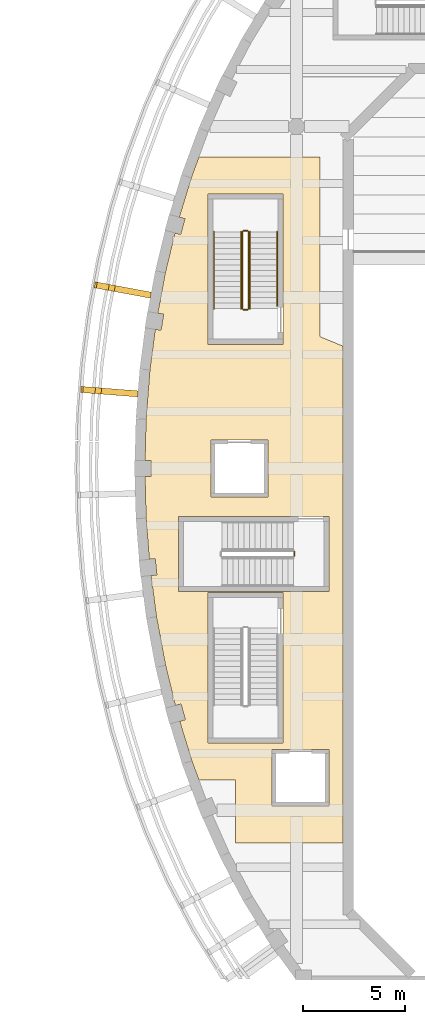
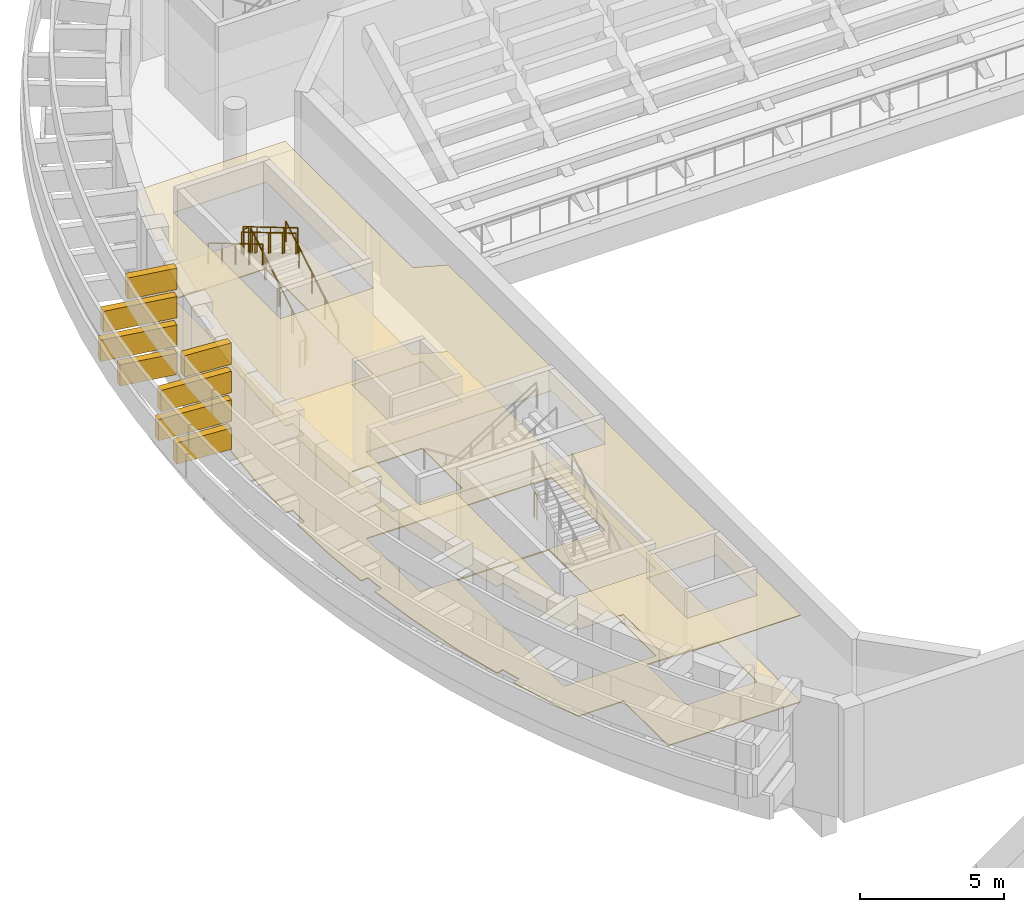
# One storey, part 29 of 37: 10 coverings, 9 railings.
"""IFC4 building model written with IfcOpenShell, lengths in metres."""

from ifc_helpers import new_model, si_unit, direction, frame, origin, origin_2d, place, context, subcontext, project, spatial, polyline, rectangle, circle, outline, extrude, material, layer, layer_set, type_object, element, save


model = new_model("IFC4")

# Units and contexts
model_context = context("Model", 3, precision=1e-05, world=origin(), true_north=direction((0.0, 1.0)))
body_context = subcontext(model_context, "Body", "Model", "MODEL_VIEW")
ifc_project = project(units=[si_unit("LENGTHUNIT", "METRE"), si_unit("AREAUNIT", "SQUARE_METRE"), si_unit("VOLUMEUNIT", "CUBIC_METRE"), si_unit("PLANEANGLEUNIT", "RADIAN"), si_unit("MASSUNIT", "GRAM", prefix="KILO")], contexts=[model_context])

# Site, building, storey
site_placement = place(None, origin())
site = spatial("IfcSite", under=ifc_project, at=site_placement, CompositionType="ELEMENT")
building_placement = place(site_placement, origin())
building = spatial("IfcBuilding", under=site, at=building_placement, Name="Larchfold Concert Hall", CompositionType="ELEMENT")
storey_placement = place(building_placement, frame((0.0, 0.0, 19.199951171875)))
storey = spatial("IfcBuildingStorey", under=building, at=storey_placement, Name="L04", CompositionType="ELEMENT", Elevation=19.199951171875)

# Coverings
ifc_material_1 = material(Name="Plasterboard ceiling lining")
ifc_layer_1 = layer(ifc_material_1, 0.030029296875)
ifc_layer_set_1 = layer_set([ifc_layer_1], Name="Plasterboard ceiling lining")
covering_type_1 = type_object("IfcCoveringType", Name="Ceiling suspended plasterboard 30", PredefinedType="CEILING", material=ifc_layer_set_1)
covering_1_placement = place(storey_placement, frame((0.0, 0.0, 3.670166015625)))
element("IfcCovering", 1, at=covering_1_placement, inside=storey, type_object=covering_type_1, Name="Ceiling Hall Foyer West", PredefinedType="CEILING", context=body_context, shape_type="SweptSolid", body=[
    extrude(outline(polyline([(18.413330078125, 82.164794921875), (18.572265625, 80.13525390625), (18.860107421875, 80.165283203125), (18.943359375, 79.36962890625), (18.65576171875, 79.339599609375), (18.92138671875, 77.321533203125), (19.36767578125, 74.9306640625), (19.8515625, 72.950927734375), (20.129638671875, 73.02734375), (20.341552734375, 72.255859375), (20.0634765625, 72.179443359375), (20.658447265625, 70.23486328125), (21.005859375, 69.301025390625), (22.7919921875, 69.301025390625), (22.79931640625, 69.296630859375), (22.801025390625, 66.200927734375), (28.10009765625, 66.200927734375), (28.10009765625, 90.60595703125), (26.954833984375, 91.08056640625), (26.948974609375, 91.088623046875), (26.948974609375, 99.899169921875), (21.006103515625, 99.899169921875), (20.629638671875, 98.88037109375), (20.04296875, 96.948486328125), (20.3212890625, 96.87255859375), (20.11083984375, 96.1005859375), (19.832275390625, 96.176513671875), (19.355712890625, 94.21435546875), (18.9873046875, 92.2275390625), (19.27294921875, 92.182373046875), (19.148193359375, 91.39208984375), (18.8623046875, 91.437255859375), (18.600341796875, 89.433837890625), (18.41259765625, 87.020263671875), (18.360595703125, 85.0), (18.64990234375, 85.0), (18.64990234375, 84.2001953125), (18.360595703125, 84.2001953125), (18.413330078125, 82.164794921875)]), holes=[polyline([(20.0, 78.550048828125), (20.0, 82.25), (27.39990234375, 82.25), (27.39990234375, 78.550048828125), (20.0, 78.550048828125)]), polyline([(24.60009765625, 68.0), (24.60009765625, 70.800048828125), (27.39990234375, 70.800048828125), (27.39990234375, 68.0), (24.60009765625, 68.0)]), polyline([(21.449951171875, 71.10009765625), (21.449951171875, 78.5), (25.14990234375, 78.5), (25.14990234375, 71.10009765625), (21.449951171875, 71.10009765625)]), polyline([(21.449951171875, 90.699951171875), (21.449951171875, 98.10009765625), (25.14990234375, 98.10009765625), (25.14990234375, 90.699951171875), (21.449951171875, 90.699951171875)]), polyline([(21.60009765625, 83.199951171875), (21.60009765625, 86.0), (24.39990234375, 86.0), (24.39990234375, 83.199951171875), (21.60009765625, 83.199951171875)])]), origin(), (0.0, 0.0, 1.0), 0.030029296875),
])
ifc_material_2 = material(Name="Polished terrazzo")
ifc_layer_2 = layer(ifc_material_2, 0.0400390625)
ifc_layer_set_2 = layer_set([ifc_layer_2], Name="Polished terrazzo")
covering_type_2 = type_object("IfcCoveringType", Name="Floor finish terrazzo 40", PredefinedType="FLOORING", material=ifc_layer_set_2)
covering_2_placement = place(storey_placement, origin())
element("IfcCovering", 2, at=covering_2_placement, inside=storey, type_object=covering_type_2, Name="Floor finish Hall Foyer West", PredefinedType="FLOORING", context=body_context, shape_type="SweptSolid", body=[
    extrude(outline(polyline([(18.413330078125, 82.164794921875), (18.572265625, 80.13525390625), (18.860107421875, 80.165283203125), (18.943359375, 79.36962890625), (18.65576171875, 79.339599609375), (18.92138671875, 77.321533203125), (19.36767578125, 74.9306640625), (19.8515625, 72.950927734375), (20.129638671875, 73.02734375), (20.341552734375, 72.255859375), (20.0634765625, 72.179443359375), (20.658447265625, 70.23486328125), (21.005859375, 69.301025390625), (22.7919921875, 69.301025390625), (22.79931640625, 69.296630859375), (22.801025390625, 66.200927734375), (28.10009765625, 66.200927734375), (28.10009765625, 90.60595703125), (26.954833984375, 91.08056640625), (26.948974609375, 91.088623046875), (26.948974609375, 99.899169921875), (21.006103515625, 99.899169921875), (20.629638671875, 98.88037109375), (20.04296875, 96.948486328125), (20.3212890625, 96.87255859375), (20.11083984375, 96.1005859375), (19.832275390625, 96.176513671875), (19.355712890625, 94.21435546875), (18.9873046875, 92.2275390625), (19.27294921875, 92.182373046875), (19.148193359375, 91.39208984375), (18.8623046875, 91.437255859375), (18.600341796875, 89.433837890625), (18.41259765625, 87.020263671875), (18.360595703125, 85.0), (18.64990234375, 85.0), (18.64990234375, 84.2001953125), (18.360595703125, 84.2001953125), (18.413330078125, 82.164794921875)]), holes=[polyline([(20.0, 78.550048828125), (20.0, 82.25), (27.39990234375, 82.25), (27.39990234375, 78.550048828125), (20.0, 78.550048828125)]), polyline([(24.60009765625, 68.0), (24.60009765625, 70.800048828125), (27.39990234375, 70.800048828125), (27.39990234375, 68.0), (24.60009765625, 68.0)]), polyline([(21.449951171875, 71.10009765625), (21.449951171875, 78.5), (25.14990234375, 78.5), (25.14990234375, 71.10009765625), (21.449951171875, 71.10009765625)]), polyline([(21.449951171875, 90.699951171875), (21.449951171875, 98.10009765625), (25.14990234375, 98.10009765625), (25.14990234375, 90.699951171875), (21.449951171875, 90.699951171875)]), polyline([(21.60009765625, 83.199951171875), (21.60009765625, 86.0), (24.39990234375, 86.0), (24.39990234375, 83.199951171875), (21.60009765625, 83.199951171875)])]), origin(), (0.0, 0.0, 1.0), 0.0400390625),
])
ifc_material_3 = material(Name="Galvanised steel bracket", Category="steel")
ifc_layer_3 = layer(ifc_material_3, 0.300048828125)
ifc_layer_set_3 = layer_set([ifc_layer_3], Name="Galvanised steel bracket")
covering_type_3 = type_object("IfcCoveringType", Name="Ring support bracket", PredefinedType="CLADDING", material=ifc_layer_set_3)
for number, where, z_axis, x_axis, name in (
    (3, (17.61083984375, 93.306640625, 0.9501953125), (0.0, 0.0, 1.0), (-0.983231690727, 0.182360747833, 0.0), "Ring bracket BR-R08-18"),
    (4, (16.961181640625, 88.34716796875, 0.9501953125), (0.0, 0.0, 1.0), (-0.996990162785, 0.077528158171, 0.0), "Ring bracket BR-R08-19"),
):
    element("IfcCovering", number, at=place(storey_placement, frame(where, z_axis=z_axis, x_axis=x_axis)), inside=storey, type_object=covering_type_3, Name=name, PredefinedType="CLADDING", context=body_context, shape_type="SweptSolid", body=[
        extrude(rectangle(XDim=2.10009765625, YDim=0.300048828125, at=origin_2d()), origin(), (0.0, 0.0, 1.0), 0.89990234375),
    ])
for number, where, z_axis, x_axis, name in (
    (5, (17.266845703125, 93.37060546875, 2.150146484375), (0.0, 0.0, 1.0), (-0.983231690727, 0.182360747833, 0.0), "Ring bracket BR-R09-18"),
    (6, (16.612060546875, 88.37451171875, 2.150146484375), (0.0, 0.0, 1.0), (-0.996990162785, 0.077528158171, 0.0), "Ring bracket BR-R09-19"),
):
    element("IfcCovering", number, at=place(storey_placement, frame(where, z_axis=z_axis, x_axis=x_axis)), inside=storey, type_object=covering_type_3, Name=name, PredefinedType="CLADDING", context=body_context, shape_type="SweptSolid", body=[
        extrude(rectangle(XDim=2.800048828125, YDim=0.300048828125, at=origin_2d()), origin(), (0.0, 0.0, 1.0), 0.89990234375),
    ])
for number, where, z_axis, x_axis, name in (
    (7, (17.31591796875, 93.361328125, 3.35009765625), (0.0, 0.0, 1.0), (-0.983231690727, 0.182360747833, 0.0), "Ring bracket BR-R10-18"),
    (8, (16.662109375, 88.37060546875, 3.35009765625), (0.0, 0.0, 1.0), (-0.996990162785, 0.077528158171, 0.0), "Ring bracket BR-R10-19"),
):
    element("IfcCovering", number, at=place(storey_placement, frame(where, z_axis=z_axis, x_axis=x_axis)), inside=storey, type_object=covering_type_3, Name=name, PredefinedType="CLADDING", context=body_context, shape_type="SweptSolid", body=[
        extrude(rectangle(XDim=2.699951171875, YDim=0.300048828125, at=origin_2d()), origin(), (0.0, 0.0, 1.0), 0.89990234375),
    ])
for number, where, z_axis, x_axis, name in (
    (9, (17.75830078125, 93.279296875, 4.550048828125), (0.0, 0.0, 1.0), (-0.983231690727, 0.182360747833, 0.0), "Ring bracket BR-R11-18"),
    (10, (17.110595703125, 88.335693359375, 4.550048828125), (0.0, 0.0, 1.0), (-0.996990162785, 0.077528158171, 0.0), "Ring bracket BR-R11-19"),
):
    element("IfcCovering", number, at=place(storey_placement, frame(where, z_axis=z_axis, x_axis=x_axis)), inside=storey, type_object=covering_type_3, Name=name, PredefinedType="CLADDING", context=body_context, shape_type="SweptSolid", body=[
        extrude(rectangle(XDim=1.800048828125, YDim=0.300048828125, at=origin_2d()), origin(), (0.0, 0.0, 1.0), 0.89990234375),
    ])

# Railings
ifc_material_4 = material(Name="Stainless steel balustrade", Category="steel")
railing_type_1 = type_object("IfcRailingType", Name="Stair guard 1100", PredefinedType="GUARDRAIL", material=ifc_material_4)
railing_1_placement = place(storey_placement, frame((23.449951171875, 92.449951171875, 0.16015625)))
element("IfcRailing", 11, at=railing_1_placement, inside=storey, type_object=railing_type_1, Name="Guard GR0015", PredefinedType="GUARDRAIL", context=body_context, shape_type="SweptSolid", body=[
    extrude(circle(Radius=0.02392578125, at=origin_2d()), frame((0.0, 0.0, 1.076171875), z_axis=(0.0, 0.860294241299, 0.509797821089), x_axis=(-1.0, 0.0, 0.0)), (0.0, 0.0, 1.0), 4.393798828125),
    extrude(circle(Radius=0.02099609375, at=origin_2d()), origin(), (0.0, 0.0, 1.0), 1.052001953125),
    extrude(circle(Radius=0.02099609375, at=origin_2d()), frame((0.0, 0.945068359375, 0.56005859375)), (0.0, 0.0, 1.0), 1.052001953125),
    extrude(circle(Radius=0.02099609375, at=origin_2d()), frame((0.0, 1.89013671875, 1.1201171875)), (0.0, 0.0, 1.0), 1.052001953125),
    extrude(circle(Radius=0.02099609375, at=origin_2d()), frame((0.0, 2.8349609375, 1.679931640625)), (0.0, 0.0, 1.0), 1.052001953125),
    extrude(circle(Radius=0.02099609375, at=origin_2d()), frame((0.0, 3.780029296875, 2.239990234375)), (0.0, 0.0, 1.0), 1.052001953125),
])
railing_2_placement = place(storey_placement, frame((23.39990234375, 96.280029296875, 2.400146484375)))
element("IfcRailing", 12, at=railing_2_placement, inside=storey, type_object=railing_type_1, Name="Guard GR0016", PredefinedType="GUARDRAIL", context=body_context, shape_type="SweptSolid", body=[
    extrude(circle(Radius=0.02392578125, at=origin_2d()), frame((0.0, 0.0, 1.076171875), z_axis=(-1.0, 0.0, 0.0), x_axis=(0.0, -1.0, 0.0)), (0.0, 0.0, 1.0), 0.199951171875),
    extrude(circle(Radius=0.02099609375, at=origin_2d()), origin(), (0.0, 0.0, 1.0), 1.052001953125),
    extrude(circle(Radius=0.02099609375, at=origin_2d()), frame((-0.199951171875, 0.0, 0.0)), (0.0, 0.0, 1.0), 1.052001953125),
])
railing_3_placement = place(storey_placement, frame((23.14990234375, 96.22998046875, 2.56005859375)))
element("IfcRailing", 13, at=railing_3_placement, inside=storey, type_object=railing_type_1, Name="Guard GR0017", PredefinedType="GUARDRAIL", context=body_context, shape_type="SweptSolid", body=[
    extrude(circle(Radius=0.02392578125, at=origin_2d()), frame((0.0, 0.0, 1.076171875), z_axis=(0.0, -0.860294241299, 0.509797821089), x_axis=(1.0, 0.0, 0.0)), (0.0, 0.0, 1.0), 4.393798828125),
    extrude(circle(Radius=0.02099609375, at=origin_2d()), origin(), (0.0, 0.0, 1.0), 1.052001953125),
    extrude(circle(Radius=0.02099609375, at=origin_2d()), frame((0.0, -0.945068359375, 0.56005859375)), (0.0, 0.0, 1.0), 1.052001953125),
    extrude(circle(Radius=0.02099609375, at=origin_2d()), frame((0.0, -1.89013671875, 1.1201171875)), (0.0, 0.0, 1.0), 1.052001953125),
    extrude(circle(Radius=0.02099609375, at=origin_2d()), frame((0.0, -2.8349609375, 1.679931640625)), (0.0, 0.0, 1.0), 1.052001953125),
    extrude(circle(Radius=0.02099609375, at=origin_2d()), frame((0.0, -3.780029296875, 2.239990234375)), (0.0, 0.0, 1.0), 1.052001953125),
])
railing_4_placement = place(storey_placement, frame((23.39990234375, 92.39990234375, 0.0)))
element("IfcRailing", 14, at=railing_4_placement, inside=storey, type_object=railing_type_1, Name="Guard GR0018", PredefinedType="GUARDRAIL", context=body_context, shape_type="SweptSolid", body=[
    extrude(circle(Radius=0.02392578125, at=origin_2d()), frame((0.0, 0.0, 1.076171875), z_axis=(-1.0, 0.0, 0.0), x_axis=(0.0, -1.0, 0.0)), (0.0, 0.0, 1.0), 0.199951171875),
    extrude(circle(Radius=0.02099609375, at=origin_2d()), origin(), (0.0, 0.0, 1.0), 1.052001953125),
    extrude(circle(Radius=0.02099609375, at=origin_2d()), frame((-0.199951171875, 0.0, 0.0)), (0.0, 0.0, 1.0), 1.052001953125),
])
railing_5_placement = place(storey_placement, frame((25.699951171875, 80.5, 0.0)))
element("IfcRailing", 15, at=railing_5_placement, inside=storey, type_object=railing_type_1, Name="Guard GR0030", PredefinedType="GUARDRAIL", context=body_context, shape_type="SweptSolid", body=[
    extrude(circle(Radius=0.02392578125, at=origin_2d()), frame((0.0, 0.0, 1.076171875), z_axis=(0.0, -1.0, 0.0), x_axis=(1.0, 0.0, 0.0)), (0.0, 0.0, 1.0), 0.199951171875),
    extrude(circle(Radius=0.02099609375, at=origin_2d()), origin(), (0.0, 0.0, 1.0), 1.052001953125),
    extrude(circle(Radius=0.02099609375, at=origin_2d()), frame((0.0, -0.199951171875, 0.0)), (0.0, 0.0, 1.0), 1.052001953125),
])
ifc_material_5 = material(Name="Stainless steel handrail", Category="steel")
railing_type_2 = type_object("IfcRailingType", Name="Stair handrail 900", PredefinedType="HANDRAIL", material=ifc_material_5)
railing_6_placement = place(storey_placement, frame((24.849853515625, 92.60009765625, 0.2490234375)))
element("IfcRailing", 16, at=railing_6_placement, inside=storey, type_object=railing_type_2, Name="Handrail HR0013", PredefinedType="HANDRAIL", context=body_context, shape_type="SweptSolid", body=[
    extrude(circle(Radius=0.02392578125, at=origin_2d()), frame((0.0, 0.0, 0.8759765625), z_axis=(0.0, 0.860283074592, 0.509816664665), x_axis=(-1.0, 0.0, 0.0)), (0.0, 0.0, 1.0), 4.219482421875),
    extrude(circle(Radius=0.02099609375, at=origin_2d()), origin(), (0.0, 0.0, 1.0), 0.851806640625),
    extrude(circle(Radius=0.02099609375, at=origin_2d()), frame((0.0, 0.907470703125, 0.537841796875)), (0.0, 0.0, 1.0), 0.851806640625),
    extrude(circle(Radius=0.02099609375, at=origin_2d()), frame((0.0, 1.81494140625, 1.07568359375)), (0.0, 0.0, 1.0), 0.851806640625),
    extrude(circle(Radius=0.02099609375, at=origin_2d()), frame((0.0, 2.722412109375, 1.61328125)), (0.0, 0.0, 1.0), 0.851806640625),
    extrude(circle(Radius=0.02099609375, at=origin_2d()), frame((0.0, 3.6298828125, 2.151123046875)), (0.0, 0.0, 1.0), 0.851806640625),
])
railing_7_placement = place(storey_placement, frame((21.75, 96.22998046875, 2.56005859375)))
element("IfcRailing", 17, at=railing_7_placement, inside=storey, type_object=railing_type_2, Name="Handrail HR0014", PredefinedType="HANDRAIL", context=body_context, shape_type="SweptSolid", body=[
    extrude(circle(Radius=0.02392578125, at=origin_2d()), frame((0.0, 0.0, 0.8759765625), z_axis=(0.0, -0.860294241299, 0.509797821089), x_axis=(1.0, 0.0, 0.0)), (0.0, 0.0, 1.0), 4.393798828125),
    extrude(circle(Radius=0.02099609375, at=origin_2d()), origin(), (0.0, 0.0, 1.0), 0.851806640625),
    extrude(circle(Radius=0.02099609375, at=origin_2d()), frame((0.0, -0.945068359375, 0.56005859375)), (0.0, 0.0, 1.0), 0.851806640625),
    extrude(circle(Radius=0.02099609375, at=origin_2d()), frame((0.0, -1.89013671875, 1.1201171875)), (0.0, 0.0, 1.0), 0.851806640625),
    extrude(circle(Radius=0.02099609375, at=origin_2d()), frame((0.0, -2.8349609375, 1.679931640625)), (0.0, 0.0, 1.0), 0.851806640625),
    extrude(circle(Radius=0.02099609375, at=origin_2d()), frame((0.0, -3.780029296875, 2.239990234375)), (0.0, 0.0, 1.0), 0.851806640625),
])
railing_8_placement = place(storey_placement, frame((23.52001953125, 92.449951171875, 0.16015625)))
element("IfcRailing", 18, at=railing_8_placement, inside=storey, type_object=railing_type_2, Name="Handrail HR0015", PredefinedType="HANDRAIL", context=body_context, shape_type="SweptSolid", body=[
    extrude(circle(Radius=0.02392578125, at=origin_2d()), frame((0.0, 0.0, 0.8759765625), z_axis=(0.0, 0.860294241299, 0.509797821089), x_axis=(-1.0, 0.0, 0.0)), (0.0, 0.0, 1.0), 4.393798828125),
    extrude(circle(Radius=0.02099609375, at=origin_2d()), origin(), (0.0, 0.0, 1.0), 0.851806640625),
    extrude(circle(Radius=0.02099609375, at=origin_2d()), frame((0.0, 0.945068359375, 0.56005859375)), (0.0, 0.0, 1.0), 0.851806640625),
    extrude(circle(Radius=0.02099609375, at=origin_2d()), frame((0.0, 1.89013671875, 1.1201171875)), (0.0, 0.0, 1.0), 0.851806640625),
    extrude(circle(Radius=0.02099609375, at=origin_2d()), frame((0.0, 2.8349609375, 1.679931640625)), (0.0, 0.0, 1.0), 0.851806640625),
    extrude(circle(Radius=0.02099609375, at=origin_2d()), frame((0.0, 3.780029296875, 2.239990234375)), (0.0, 0.0, 1.0), 0.851806640625),
])
railing_9_placement = place(storey_placement, frame((23.079833984375, 96.22998046875, 2.56005859375)))
element("IfcRailing", 19, at=railing_9_placement, inside=storey, type_object=railing_type_2, Name="Handrail HR0016", PredefinedType="HANDRAIL", context=body_context, shape_type="SweptSolid", body=[
    extrude(circle(Radius=0.02392578125, at=origin_2d()), frame((0.0, 0.0, 0.8759765625), z_axis=(0.0, -0.860294241299, 0.509797821089), x_axis=(1.0, 0.0, 0.0)), (0.0, 0.0, 1.0), 4.393798828125),
    extrude(circle(Radius=0.02099609375, at=origin_2d()), origin(), (0.0, 0.0, 1.0), 0.851806640625),
    extrude(circle(Radius=0.02099609375, at=origin_2d()), frame((0.0, -0.945068359375, 0.56005859375)), (0.0, 0.0, 1.0), 0.851806640625),
    extrude(circle(Radius=0.02099609375, at=origin_2d()), frame((0.0, -1.89013671875, 1.1201171875)), (0.0, 0.0, 1.0), 0.851806640625),
    extrude(circle(Radius=0.02099609375, at=origin_2d()), frame((0.0, -2.8349609375, 1.679931640625)), (0.0, 0.0, 1.0), 0.851806640625),
    extrude(circle(Radius=0.02099609375, at=origin_2d()), frame((0.0, -3.780029296875, 2.239990234375)), (0.0, 0.0, 1.0), 0.851806640625),
])

save(model, "model.ifc")
